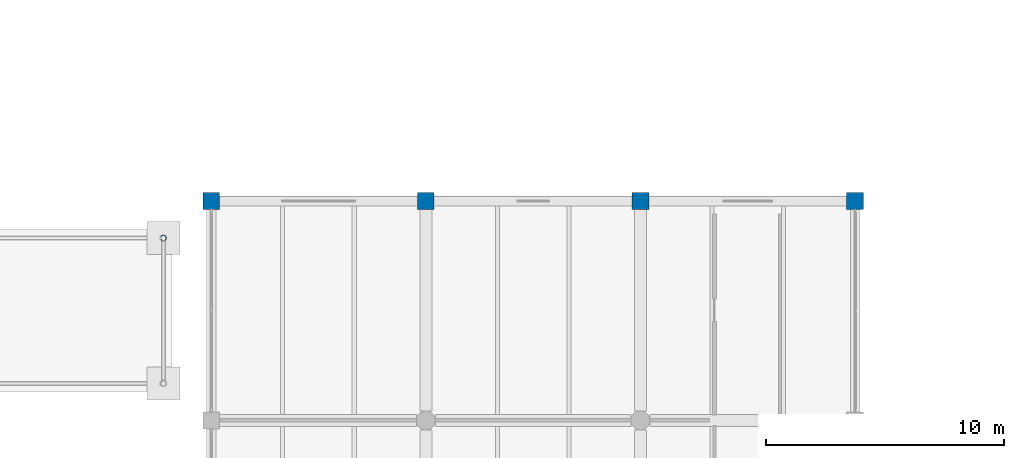
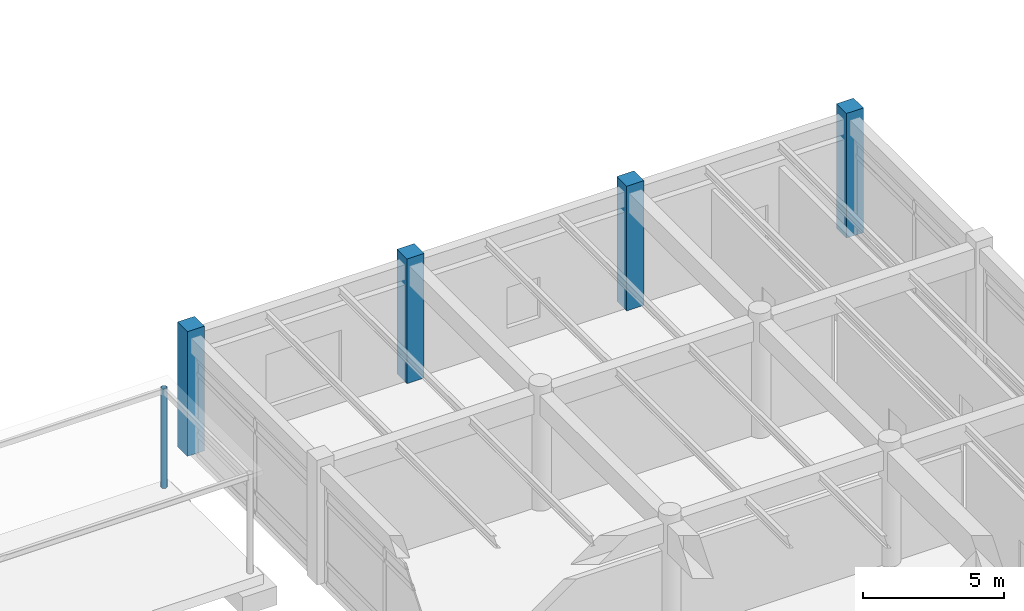
# One storey, part 22 of 76: 5 columns.
"""IFC4 building model written with IfcOpenShell, lengths in metres."""

from ifc_helpers import new_model, si_unit, direction, frame, origin, origin_2d, place, context, subcontext, project, spatial, rectangle, hollow_circle, extrude, material, material_profile, profile_set, type_object, element, save


model = new_model("IFC4")

# Units and contexts
model_context = context("Model", 3, precision=1e-05, world=origin(), true_north=direction((0.0, 1.0)))
body_context = subcontext(model_context, "Body", "Model", "MODEL_VIEW")
ifc_project = project(units=[si_unit("LENGTHUNIT", "METRE"), si_unit("AREAUNIT", "SQUARE_METRE"), si_unit("VOLUMEUNIT", "CUBIC_METRE"), si_unit("PLANEANGLEUNIT", "RADIAN"), si_unit("MASSUNIT", "GRAM", prefix="KILO")], contexts=[model_context])

# Site, building, storey
site_placement = place(None, origin())
site = spatial("IfcSite", under=ifc_project, at=site_placement, CompositionType="ELEMENT")
building_placement = place(site_placement, origin())
building = spatial("IfcBuilding", under=site, at=building_placement, Name="Bozkorgan Art Gallery", CompositionType="ELEMENT")
storey_placement = place(building_placement, origin())
storey = spatial("IfcBuildingStorey", under=building, at=storey_placement, Name="L00", CompositionType="ELEMENT", Elevation=0.0)

# Columns
ifc_material_1 = material(Name="Concrete C40/50", Category="concrete")
ifc_material_profile_1 = material_profile(ifc_material_1, rectangle(XDim=0.699951171875, YDim=0.699951171875, at=origin_2d()), Name="RC 700x700")
ifc_profile_set_1 = profile_set([ifc_material_profile_1], Name="Concrete C40/50")
column_type_1 = type_object("IfcColumnType", Name="COLUMN-C-73", PredefinedType="COLUMN", material=ifc_profile_set_1)
for number, where, z_axis, x_axis, name in (
    (1, (74.0, 102.800048828125, 0.0), (0.0, 0.0, 1.0), (1.0, 0.0, 0.0), "V4 L00 column (74.0, 102.8)"),
    (2, (83.0, 102.800048828125, 0.0), (0.0, 0.0, 1.0), (1.0, 0.0, 0.0), "V4 L00 column (83.0, 102.8)"),
    (3, (92.0, 102.800048828125, 0.0), (0.0, 0.0, 1.0), (1.0, 0.0, 0.0), "V4 L00 column (92.0, 102.8)"),
    (4, (101.0, 102.800048828125, 0.0), (0.0, 0.0, 1.0), (1.0, 0.0, 0.0), "V4 L00 column (101.0, 102.8)"),
):
    element("IfcColumn", number, at=place(storey_placement, frame(where, z_axis=z_axis, x_axis=x_axis)), inside=storey, type_object=column_type_1, Name=name, PredefinedType="COLUMN", context=body_context, shape_type="SweptSolid", body=[
        extrude(rectangle(XDim=0.699951171875, YDim=0.699951171875, at=origin_2d()), origin(), (0.0, 0.0, 1.0), 5.39990234375),
    ])
ifc_material_2 = material(Name="Steel S355J2", Category="steel")
ifc_material_profile_2 = material_profile(ifc_material_2, hollow_circle(Radius=0.122314453125, WallThickness=0.010009765625, at=origin_2d()), Name="CHS 244.5x10")
ifc_profile_set_2 = profile_set([ifc_material_profile_2], Name="Steel S355J2")
column_type_2 = type_object("IfcColumnType", Name="COLUMN-WC-87", PredefinedType="COLUMN", material=ifc_profile_set_2)
column_placement = place(storey_placement, frame((72.0, 101.25, 0.0), z_axis=(0.0, 0.0, 1.0), x_axis=(1.0, 0.0, 0.0)))
element("IfcColumn", 5, at=column_placement, inside=storey, type_object=column_type_2, Name="North Sculpture-Court Covered Walk column 3", PredefinedType="COLUMN", context=body_context, shape_type="SweptSolid", body=[
    extrude(hollow_circle(Radius=0.122314453125, WallThickness=0.010009765625, at=origin_2d()), origin(), (0.0, 0.0, 1.0), 4.300048828125),
])

save(model, "model.ifc")
